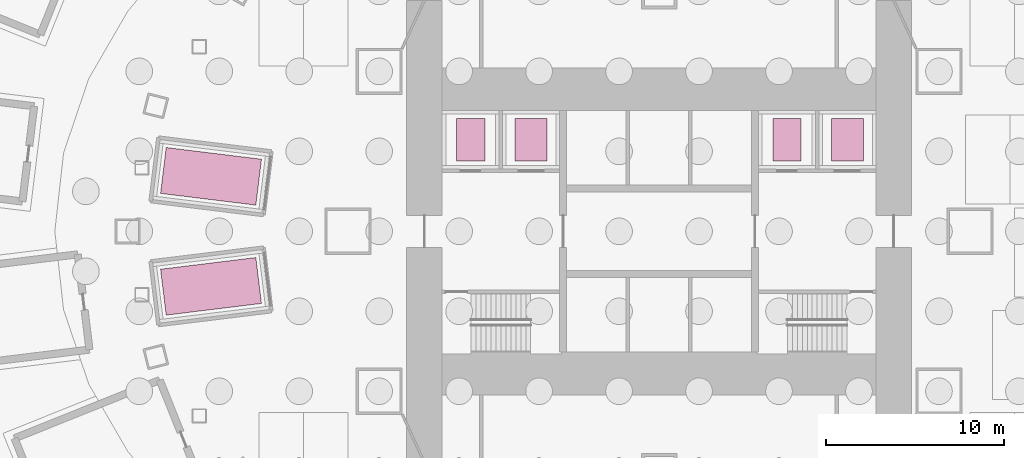
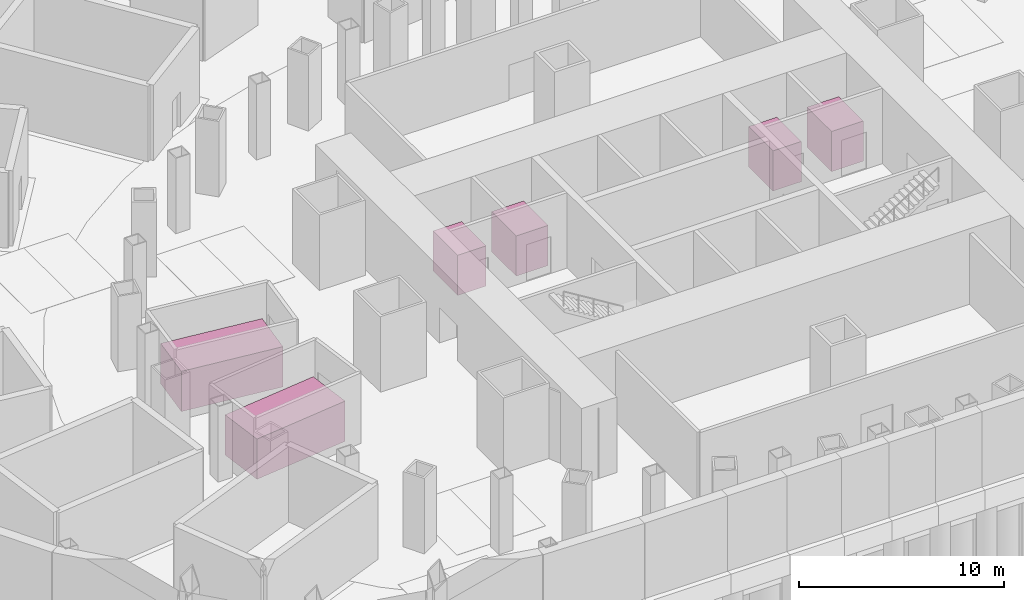
# One storey, part 11 of 11: 6 transport elements.
"""IFC4 building model written with IfcOpenShell, lengths in metres."""

from ifc_helpers import new_model, si_unit, direction, frame, origin, origin_2d, place, context, subcontext, project, spatial, rectangle, extrude, material, type_object, element, save


model = new_model("IFC4")

# Units and contexts
model_context = context("Model", 3, precision=1e-05, world=origin(), true_north=direction((0.0, 1.0)))
body_context = subcontext(model_context, "Body", "Model", "MODEL_VIEW")
ifc_project = project(units=[si_unit("LENGTHUNIT", "METRE"), si_unit("AREAUNIT", "SQUARE_METRE"), si_unit("VOLUMEUNIT", "CUBIC_METRE"), si_unit("PLANEANGLEUNIT", "RADIAN"), si_unit("MASSUNIT", "GRAM", prefix="KILO")], contexts=[model_context])

# Site, building, storey
site_placement = place(None, origin())
site = spatial("IfcSite", under=ifc_project, at=site_placement, CompositionType="ELEMENT")
building_placement = place(site_placement, origin())
building = spatial("IfcBuilding", under=site, at=building_placement, Name="Lantaw Convention Tower", CompositionType="ELEMENT")
storey_placement = place(building_placement, frame((0.0, 0.0, -10.0)))
storey = spatial("IfcBuildingStorey", under=building, at=storey_placement, Name="B2", CompositionType="ELEMENT", Elevation=-10.0)

# Transport elements
ifc_material = material(Name="Stainless steel car", Category="steel")
transport_element_type_1 = type_object("IfcTransportElementType", Name="Car lift 2600x5400", PredefinedType="ELEVATOR", material=ifc_material)
for number, where, z_axis, x_axis, name in (
    (1, (-25.210693359375, 3.095458984375, 0.0), (0.0, 0.0, 1.0), (-0.992546151641, 0.121869343405, 0.0), "Car lift CL1"),
    (2, (-25.210693359375, -3.095458984375, 0.0), (0.0, 0.0, 1.0), (-0.992546151641, -0.121869343405, 0.0), "Car lift CL2"),
):
    element("IfcTransportElement", number, at=place(storey_placement, frame(where, z_axis=z_axis, x_axis=x_axis)), inside=storey, type_object=transport_element_type_1, Name=name, PredefinedType="ELEVATOR", context=body_context, shape_type="SweptSolid", body=[
        extrude(rectangle(XDim=5.39990234375, YDim=2.60009765625, at=origin_2d()), origin(), (0.0, 0.0, 1.0), 2.39990234375),
    ])
transport_element_type_2 = type_object("IfcTransportElementType", Name="Firefighting lift 1600x2400", PredefinedType="ELEVATOR", material=ifc_material)
for number, where, z_axis, x_axis, name in (
    (3, (-10.60009765625, 5.14990234375, 0.0), (0.0, 0.0, 1.0), (1.0, 0.0, 0.0), "Firefighting lift FF1"),
    (4, (7.199951171875, 5.14990234375, 0.0), (0.0, 0.0, 1.0), (1.0, 0.0, 0.0), "Firefighting lift FF2"),
):
    element("IfcTransportElement", number, at=place(storey_placement, frame(where, z_axis=z_axis, x_axis=x_axis)), inside=storey, type_object=transport_element_type_2, Name=name, PredefinedType="ELEVATOR", context=body_context, shape_type="SweptSolid", body=[
        extrude(rectangle(XDim=1.60009765625, YDim=2.39990234375, at=origin_2d()), origin(), (0.0, 0.0, 1.0), 2.39990234375),
    ])
transport_element_type_3 = type_object("IfcTransportElementType", Name="Service lift 1800x2400", PredefinedType="ELEVATOR", material=ifc_material)
for number, where, z_axis, x_axis, name in (
    (5, (-7.199951171875, 5.14990234375, 0.0), (0.0, 0.0, 1.0), (1.0, 0.0, 0.0), "Service lift SV1"),
    (6, (10.60009765625, 5.14990234375, 0.0), (0.0, 0.0, 1.0), (1.0, 0.0, 0.0), "Service lift SV2"),
):
    element("IfcTransportElement", number, at=place(storey_placement, frame(where, z_axis=z_axis, x_axis=x_axis)), inside=storey, type_object=transport_element_type_3, Name=name, PredefinedType="ELEVATOR", context=body_context, shape_type="SweptSolid", body=[
        extrude(rectangle(XDim=1.800048828125, YDim=2.39990234375, at=origin_2d()), origin(), (0.0, 0.0, 1.0), 2.39990234375),
    ])

save(model, "model.ifc")
